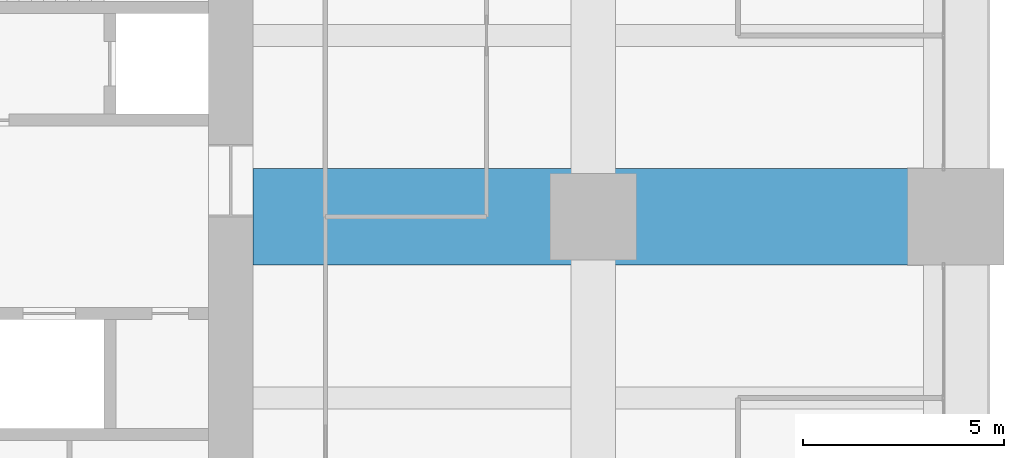
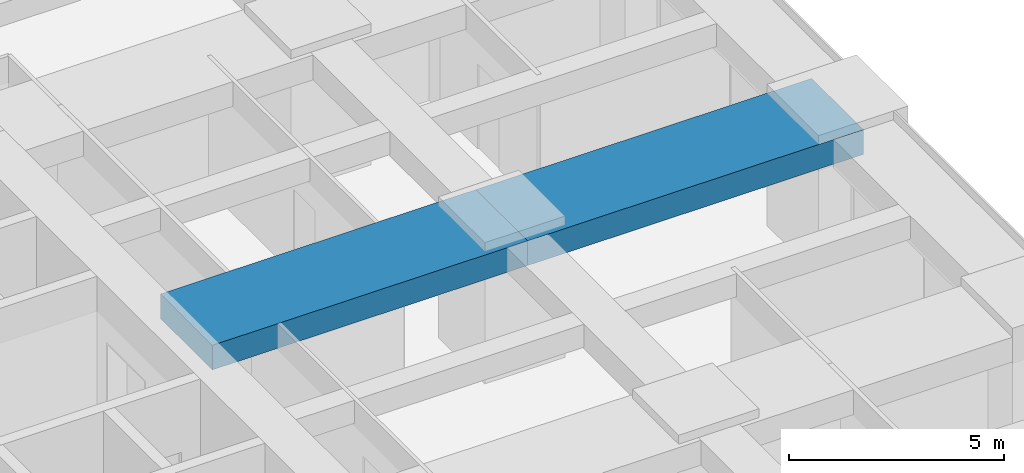
# One storey, part 21 of 45: 2 beams.
"""IFC4 building model written with IfcOpenShell, lengths in metres."""

from ifc_helpers import new_model, si_unit, direction, frame, origin, origin_2d, place, context, subcontext, project, spatial, rectangle, extrude, material, material_profile, profile_set, type_object, element, save


model = new_model("IFC4")

# Units and contexts
model_context = context("Model", 3, precision=1e-05, world=origin(), true_north=direction((0.0, 1.0)))
body_context = subcontext(model_context, "Body", "Model", "MODEL_VIEW")
ifc_project = project(units=[si_unit("LENGTHUNIT", "METRE"), si_unit("AREAUNIT", "SQUARE_METRE"), si_unit("VOLUMEUNIT", "CUBIC_METRE"), si_unit("PLANEANGLEUNIT", "RADIAN"), si_unit("MASSUNIT", "GRAM", prefix="KILO")], contexts=[model_context])

# Site, building, storey
site_placement = place(None, origin())
site = spatial("IfcSite", under=ifc_project, at=site_placement, CompositionType="ELEMENT")
building_placement = place(site_placement, origin())
building = spatial("IfcBuilding", under=site, at=building_placement, Name="Zorevar Civic Tower", CompositionType="ELEMENT")
storey_placement = place(building_placement, frame((0.0, 0.0, 71.800048828125)))
storey = spatial("IfcBuildingStorey", under=building, at=storey_placement, Name="L17", CompositionType="ELEMENT", Elevation=71.800048828125)

# Beams
ifc_material = material(Name="Concrete C50/60", Category="concrete")
ifc_material_profile = material_profile(ifc_material, rectangle(XDim=2.39990234375, YDim=0.699951171875, at=origin_2d()), Name="RC 2400x700")
ifc_profile_set = profile_set([ifc_material_profile], Name="Concrete C50/60")
beam_type = type_object("IfcBeamType", Name="Beam RC 2400x700", PredefinedType="BEAM", material=ifc_profile_set)
beam_1_placement = place(storey_placement, frame((45.550048828125, 27.0, 3.39990234375), z_axis=(1.0, 0.0, 0.0), x_axis=(0.0, 1.0, 0.0)))
element("IfcBeam", 1, at=beam_1_placement, inside=storey, type_object=beam_type, Name="Girder L18", PredefinedType="BEAM", context=body_context, shape_type="SweptSolid", body=[
    extrude(rectangle(XDim=2.39990234375, YDim=0.699951171875, at=origin_2d()), origin(), (0.0, 0.0, 1.0), 8.449951171875),
])
beam_2_placement = place(storey_placement, frame((54.0, 27.0, 3.39990234375), z_axis=(1.0, 0.0, 0.0), x_axis=(0.0, 1.0, 0.0)))
element("IfcBeam", 2, at=beam_2_placement, inside=storey, type_object=beam_type, Name="Girder L18", PredefinedType="BEAM", context=body_context, shape_type="SweptSolid", body=[
    extrude(rectangle(XDim=2.39990234375, YDim=0.699951171875, at=origin_2d()), origin(), (0.0, 0.0, 1.0), 9.0),
])

save(model, "model.ifc")
